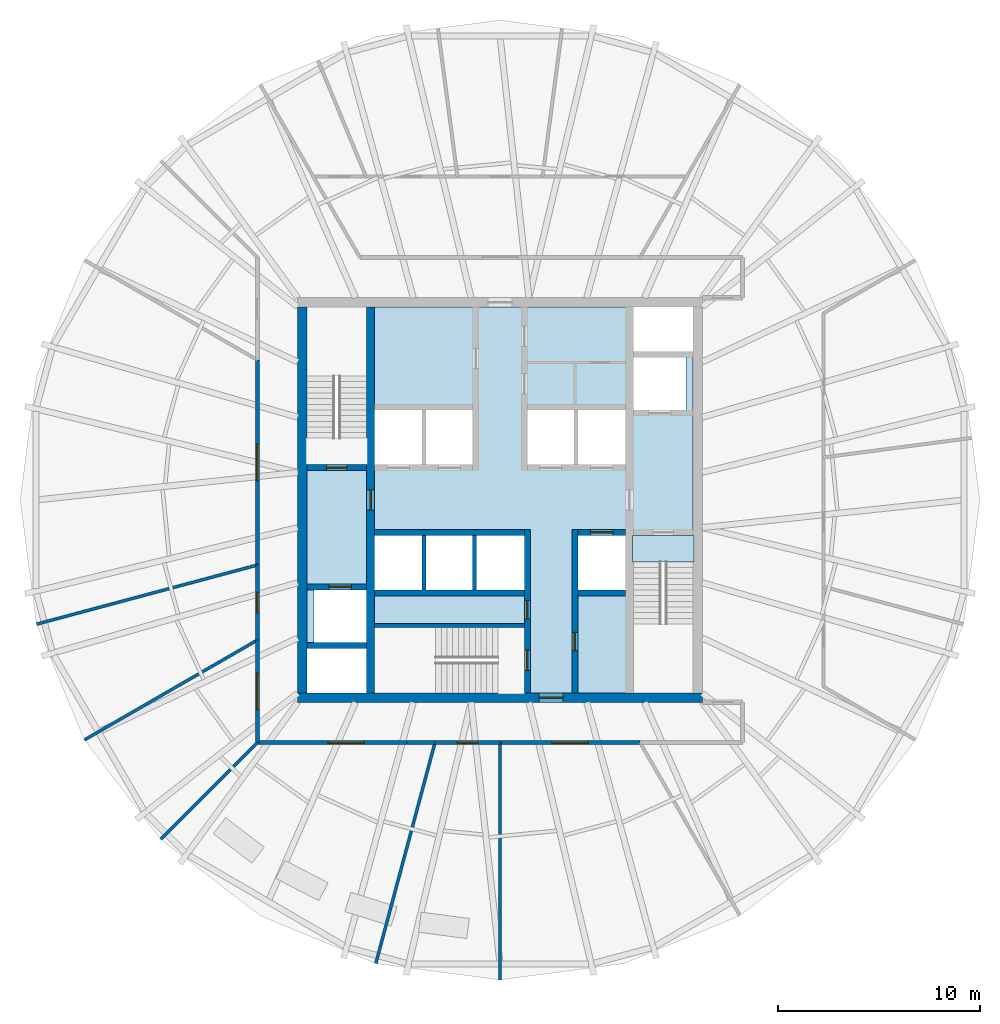
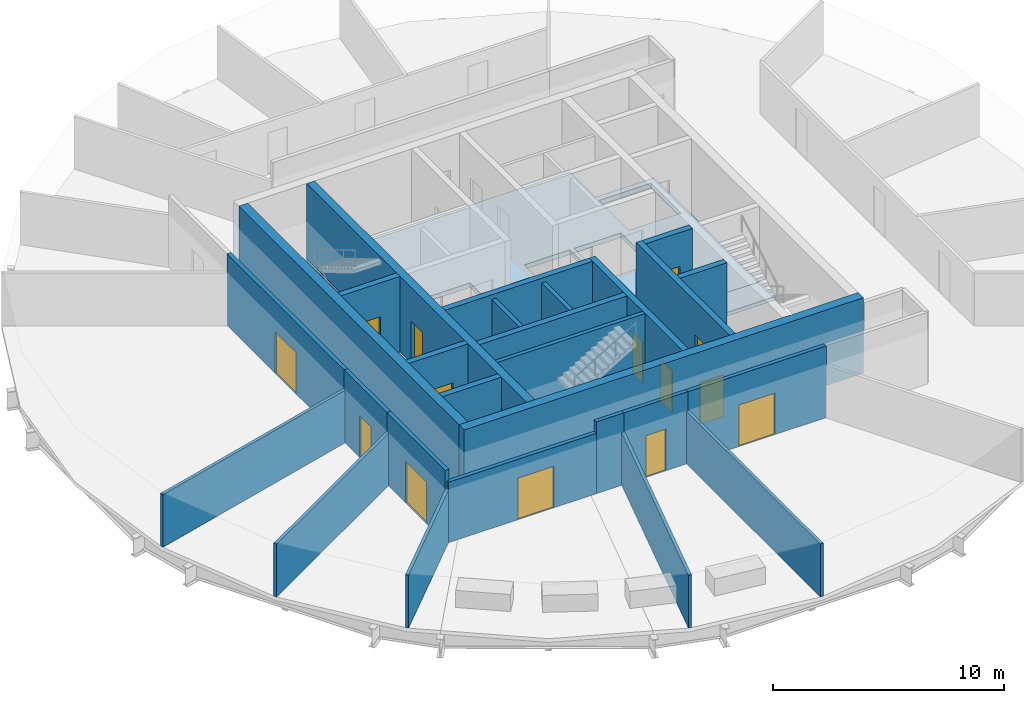
# One storey, part 3 of 7: 27 walls, 14 doors, 2 slabs, 14 openings.
"""IFC4 building model written with IfcOpenShell, lengths in metres."""

from ifc_helpers import new_model, si_unit, direction, frame, frame_2d, origin, place, context, subcontext, project, spatial, polyline, rectangle, outline, extrude, material, layer, layer_set, type_object, element, fill, save


model = new_model("IFC4")

# Units and contexts
model_context = context("Model", 3, precision=1e-05, world=origin(), true_north=direction((0.0, 1.0)))
body_context = subcontext(model_context, "Body", "Model", "MODEL_VIEW")
ifc_project = project(units=[si_unit("LENGTHUNIT", "METRE"), si_unit("AREAUNIT", "SQUARE_METRE"), si_unit("VOLUMEUNIT", "CUBIC_METRE"), si_unit("PLANEANGLEUNIT", "RADIAN"), si_unit("MASSUNIT", "GRAM", prefix="KILO")], contexts=[model_context])

# Site, building, storey
site_placement = place(None, origin())
site = spatial("IfcSite", under=ifc_project, at=site_placement, CompositionType="ELEMENT")
building_placement = place(site_placement, origin())
building = spatial("IfcBuilding", under=site, at=building_placement, Name="Golbaran Civic Tower", CompositionType="ELEMENT")
storey_placement = place(building_placement, frame((0.0, 0.0, 195.0)))
storey = spatial("IfcBuildingStorey", under=building, at=storey_placement, Name="L47", CompositionType="ELEMENT", Elevation=195.0)

# Slabs
ifc_material_1 = material(Name="Concrete C35/45", Category="concrete")
ifc_layer_1 = layer(ifc_material_1, 0.25, Name="Concrete C35/45")
ifc_layer_set_1 = layer_set([ifc_layer_1], Name="Concrete C35/45")
slab_type_1 = type_object("IfcSlabType", Name="CORE FLOOR SLAB 250", PredefinedType="FLOOR", material=ifc_layer_set_1)
slab_1_placement = place(storey_placement, frame((0.0, 0.0, -0.25)))
element("IfcSlab", 1, at=slab_1_placement, inside=storey, type_object=slab_type_1, Name="Core floor slab L47", PredefinedType="FLOOR", context=body_context, shape_type="SweptSolid", body=[
    extrude(outline(polyline([(6.60009765625, -1.75), (6.60009765625, -9.550048828125), (1.199951171875, -9.550048828125), (1.199951171875, -6.300048828125), (-6.199951171875, -6.300048828125), (-6.199951171875, -9.550048828125), (-6.60009765625, -9.550048828125), (-6.60009765625, -7.35009765625), (-9.550048828125, -7.35009765625), (-9.550048828125, 1.75), (-6.60009765625, 1.75), (-6.60009765625, 9.550048828125), (6.60009765625, 9.550048828125), (6.60009765625, 7.35009765625), (9.550048828125, 7.35009765625), (9.550048828125, -1.75), (6.60009765625, -1.75)]), holes=[polyline([(9.199951171875, 7.050048828125), (6.60009765625, 7.050048828125), (6.60009765625, 4.449951171875), (9.199951171875, 4.449951171875), (9.199951171875, 7.050048828125)]), polyline([(6.199951171875, -1.75), (3.85009765625, -1.75), (3.85009765625, -4.449951171875), (6.199951171875, -4.449951171875), (6.199951171875, -1.75)]), polyline([(6.199951171875, 4.449951171875), (3.85009765625, 4.449951171875), (3.85009765625, 1.75), (6.199951171875, 1.75), (6.199951171875, 4.449951171875)]), polyline([(3.64990234375, 4.449951171875), (1.35009765625, 4.449951171875), (1.35009765625, 1.75), (3.64990234375, 1.75), (3.64990234375, 4.449951171875)]), polyline([(1.199951171875, -1.75), (-1.14990234375, -1.75), (-1.14990234375, -4.449951171875), (1.199951171875, -4.449951171875), (1.199951171875, -1.75)]), polyline([(-1.35009765625, 4.449951171875), (-3.64990234375, 4.449951171875), (-3.64990234375, 1.75), (-1.35009765625, 1.75), (-1.35009765625, 4.449951171875)]), polyline([(-1.35009765625, -1.75), (-3.64990234375, -1.75), (-3.64990234375, -4.449951171875), (-1.35009765625, -4.449951171875), (-1.35009765625, -1.75)]), polyline([(-3.85009765625, -1.75), (-6.199951171875, -1.75), (-6.199951171875, -4.449951171875), (-3.85009765625, -4.449951171875), (-3.85009765625, -1.75)]), polyline([(-3.85009765625, 4.449951171875), (-6.199951171875, 4.449951171875), (-6.199951171875, 1.75), (-3.85009765625, 1.75), (-3.85009765625, 4.449951171875)]), polyline([(-6.60009765625, -4.449951171875), (-9.199951171875, -4.449951171875), (-9.199951171875, -7.050048828125), (-6.60009765625, -7.050048828125), (-6.60009765625, -4.449951171875)])]), origin(), (0.0, 0.0, 1.0), 0.25),
])
ifc_layer_2 = layer(ifc_material_1, 0.199951171875, Name="Concrete C35/45")
ifc_layer_set_2 = layer_set([ifc_layer_2], Name="Concrete C35/45")
slab_type_2 = type_object("IfcSlabType", Name="STAIR LANDING 200", PredefinedType="LANDING", material=ifc_layer_set_2)
slab_2_placement = place(storey_placement, frame((0.0, 0.0, -0.199951171875)))
element("IfcSlab", 2, at=slab_2_placement, inside=storey, type_object=slab_type_2, Name="Stair S2 floor landing L47", PredefinedType="LANDING", context=body_context, shape_type="SweptSolid", body=[
    extrude(outline(polyline([(9.60009765625, -1.75), (9.60009765625, -3.054931640625), (6.550048828125, -3.054931640625), (6.550048828125, -1.75), (9.60009765625, -1.75)])), origin(), (0.0, 0.0, 1.0), 0.199951171875),
])

# Wall, opening, door
ifc_material_2 = material(Name="Concrete C50/60", Category="concrete")
ifc_layer_3 = layer(ifc_material_2, 0.39990234375, Name="Concrete C50/60")
ifc_layer_set_3 = layer_set([ifc_layer_3], Name="Concrete C50/60")
wall_type_1 = type_object("IfcWallType", Name="CORE WALL CONCRETE 400", PredefinedType="SOLIDWALL", material=ifc_layer_set_3)
wall_1_placement = place(storey_placement, frame((-6.39990234375, -9.550048828125, 0.0), z_axis=(0.0, 0.0, 1.0), x_axis=(0.0, 1.0, 0.0)))
wall_1 = element("IfcWall", 3, at=wall_1_placement, inside=storey, type_object=wall_type_1, Name="Core wall IW L47", PredefinedType="SOLIDWALL", context=body_context, shape_type="SweptSolid", body=[
    extrude(rectangle(XDim=19.10009765625, YDim=0.39990234375, at=frame_2d((9.550048828125, 0.0))), origin(), (0.0, 0.0, 1.0), 4.0),
])
opening_1_placement = place(wall_1_placement, frame((9.050048828125, 0.0, 0.0)))
opening_1 = element("IfcOpeningElement", 4, at=opening_1_placement, cuts=wall_1, Name="Opening L47.FL1", PredefinedType="OPENING", context=body_context, shape_type="SweptSolid", body=[
    extrude(rectangle(XDim=1.0, YDim=2.199951171875, at=frame_2d((0.5, 1.10009765625))), frame((0.0, 0.2099609375, 0.0), z_axis=(0.0, -1.0, 0.0), x_axis=(1.0, 0.0, 0.0)), (0.0, 0.0, 1.0), 0.419921875),
])
ifc_material_3 = material(Name="Timber door set in steel frame", Category="steel")
door_type_1 = type_object("IfcDoorType", Name="STAIR DOOR 1000x2200", OperationType="SINGLE_SWING_LEFT", PredefinedType="DOOR", material=ifc_material_3)
door_1_placement = place(opening_1_placement, origin())
door_1 = element("IfcDoor", 5, at=door_1_placement, inside=storey, type_object=door_type_1, Name="Fire-fighting lobby FL1 door", OperationType="SINGLE_SWING_LEFT", OverallHeight=2.199951171875, OverallWidth=1.0, PredefinedType="DOOR", context=body_context, shape_type="SweptSolid", body=[
    extrude(rectangle(XDim=1.0, YDim=2.199951171875, at=frame_2d((0.5, 1.10009765625))), frame((0.0, 0.02490234375, 0.0), z_axis=(0.0, -1.0, 0.0), x_axis=(1.0, 0.0, 0.0)), (0.0, 0.0, 1.0), 0.050048828125),
])
fill(opening_1, door_1)

ifc_layer_4 = layer(ifc_material_2, 0.449951171875, Name="Concrete C50/60")
ifc_layer_set_4 = layer_set([ifc_layer_4], Name="Concrete C50/60")
wall_type_2 = type_object("IfcWallType", Name="CORE WALL CONCRETE 450", PredefinedType="SOLIDWALL", material=ifc_layer_set_4)
wall_2_placement = place(storey_placement, frame((10.0, -9.77490234375, 0.0), z_axis=(0.0, 0.0, 1.0), x_axis=(-1.0, 0.0, 0.0)))
wall_2 = element("IfcWall", 6, at=wall_2_placement, inside=storey, type_object=wall_type_2, Name="Core wall CS L47", PredefinedType="SOLIDWALL", context=body_context, shape_type="SweptSolid", body=[
    extrude(rectangle(XDim=20.0, YDim=0.449951171875, at=frame_2d((10.0, 0.0))), origin(), (0.0, 0.0, 1.0), 4.0),
])
opening_2_placement = place(wall_2_placement, frame((6.875, 0.0, 0.0)))
opening_2 = element("IfcOpeningElement", 7, at=opening_2_placement, cuts=wall_2, Name="Opening L47.CS", PredefinedType="OPENING", context=body_context, shape_type="SweptSolid", body=[
    extrude(rectangle(XDim=1.199951171875, YDim=2.199951171875, at=frame_2d((0.60009765625, 1.10009765625))), frame((0.0, 0.23486328125, 0.0), z_axis=(0.0, -1.0, 0.0), x_axis=(1.0, 0.0, 0.0)), (0.0, 0.0, 1.0), 0.469970703125),
])
door_type_2 = type_object("IfcDoorType", Name="CORE DOOR 1200x2200", OperationType="DOUBLE_DOOR_SINGLE_SWING", PredefinedType="DOOR", material=ifc_material_3)
door_2_placement = place(opening_2_placement, origin())
door_2 = element("IfcDoor", 8, at=door_2_placement, inside=storey, type_object=door_type_2, Name="Core door south", OperationType="DOUBLE_DOOR_SINGLE_SWING", OverallHeight=2.199951171875, OverallWidth=1.199951171875, PredefinedType="DOOR", context=body_context, shape_type="SweptSolid", body=[
    extrude(rectangle(XDim=1.199951171875, YDim=2.199951171875, at=frame_2d((0.60009765625, 1.10009765625))), frame((0.0, 0.02490234375, 0.0), z_axis=(0.0, -1.0, 0.0), x_axis=(1.0, 0.0, 0.0)), (0.0, 0.0, 1.0), 0.050048828125),
])
fill(opening_2, door_2)

# Wall
wall_3_placement = place(storey_placement, frame((-9.77490234375, 9.550048828125, 0.0), z_axis=(0.0, 0.0, 1.0), x_axis=(0.0, -1.0, 0.0)))
element("IfcWall", 9, at=wall_3_placement, inside=storey, type_object=wall_type_2, Name="Core wall CW L47", PredefinedType="SOLIDWALL", context=body_context, shape_type="SweptSolid", body=[
    extrude(rectangle(XDim=19.10009765625, YDim=0.449951171875, at=frame_2d((9.550048828125, 0.0))), origin(), (0.0, 0.0, 1.0), 4.0),
])

# Wall, opening, door
ifc_material_4 = material(Name="Gypsum board on steel studs, fire-rated", Category="steel")
ifc_layer_5 = layer(ifc_material_4, 0.199951171875, Name="Gypsum board on steel studs, fire-rated")
ifc_layer_set_5 = layer_set([ifc_layer_5], Name="Gypsum board on steel studs, fire-rated")
wall_type_3 = type_object("IfcWallType", Name="CORRIDOR WALL 200", PredefinedType="PARTITIONING", material=ifc_layer_set_5)
wall_4_placement = place(storey_placement, frame((-12.0, 6.92822265625, 0.0), z_axis=(0.0, 0.0, 1.0), x_axis=(0.0, -1.0, 0.0)))
wall_4 = element("IfcWall", 10, at=wall_4_placement, inside=storey, type_object=wall_type_3, Name="Corridor wall L47", PredefinedType="PARTITIONING", context=body_context, shape_type="SweptSolid", body=[
    extrude(rectangle(XDim=10.1435546875, YDim=0.199951171875, at=frame_2d((5.07177734375, 0.0))), origin(), (0.0, 0.0, 1.0), 3.800048828125),
])
opening_3_placement = place(wall_4_placement, frame((4.171875, 0.0, 0.0)))
opening_3 = element("IfcOpeningElement", 11, at=opening_3_placement, cuts=wall_4, Name="Opening L47.10", PredefinedType="OPENING", context=body_context, shape_type="SweptSolid", body=[
    extrude(rectangle(XDim=1.800048828125, YDim=2.199951171875, at=frame_2d((0.89990234375, 1.10009765625))), frame((0.0, 0.10986328125, 0.0), z_axis=(0.0, -1.0, 0.0), x_axis=(1.0, 0.0, 0.0)), (0.0, 0.0, 1.0), 0.219970703125),
])
door_type_3 = type_object("IfcDoorType", Name="OFFICE DOUBLE DOOR 1800x2200", OperationType="DOUBLE_DOOR_SINGLE_SWING", PredefinedType="DOOR", material=ifc_material_3)
door_3_placement = place(opening_3_placement, origin())
door_3 = element("IfcDoor", 12, at=door_3_placement, inside=storey, type_object=door_type_3, Name="Project Room door L47", OperationType="DOUBLE_DOOR_SINGLE_SWING", OverallHeight=2.199951171875, OverallWidth=1.800048828125, PredefinedType="DOOR", context=body_context, shape_type="SweptSolid", body=[
    extrude(rectangle(XDim=1.800048828125, YDim=2.199951171875, at=frame_2d((0.89990234375, 1.10009765625))), frame((0.0, 0.02490234375, 0.0), z_axis=(0.0, -1.0, 0.0), x_axis=(1.0, 0.0, 0.0)), (0.0, 0.0, 1.0), 0.050048828125),
])
fill(opening_3, door_3)

wall_5_placement = place(storey_placement, frame((-12.0, -3.21533203125, 0.0), z_axis=(0.0, 0.0, 1.0), x_axis=(0.0, -1.0, 0.0)))
wall_5 = element("IfcWall", 13, at=wall_5_placement, inside=storey, type_object=wall_type_3, Name="Corridor wall L47", PredefinedType="PARTITIONING", context=body_context, shape_type="SweptSolid", body=[
    extrude(rectangle(XDim=3.712890625, YDim=0.199951171875, at=frame_2d((1.8564453125, 0.0))), origin(), (0.0, 0.0, 1.0), 3.800048828125),
])
opening_4_placement = place(wall_5_placement, frame((1.3564453125, 0.0, 0.0)))
opening_4 = element("IfcOpeningElement", 14, at=opening_4_placement, cuts=wall_5, Name="Opening L47.11", PredefinedType="OPENING", context=body_context, shape_type="SweptSolid", body=[
    extrude(rectangle(XDim=1.0, YDim=2.199951171875, at=frame_2d((0.5, 1.10009765625))), frame((0.0, 0.10986328125, 0.0), z_axis=(0.0, -1.0, 0.0), x_axis=(1.0, 0.0, 0.0)), (0.0, 0.0, 1.0), 0.219970703125),
])
door_type_4 = type_object("IfcDoorType", Name="OFFICE DOOR 1000x2200", OperationType="SINGLE_SWING_LEFT", PredefinedType="DOOR", material=ifc_material_3)
door_4_placement = place(opening_4_placement, origin())
door_4 = element("IfcDoor", 15, at=door_4_placement, inside=storey, type_object=door_type_4, Name="Server Room door L47", OperationType="SINGLE_SWING_RIGHT", OverallHeight=2.199951171875, OverallWidth=1.0, PredefinedType="DOOR", context=body_context, shape_type="SweptSolid", body=[
    extrude(rectangle(XDim=1.0, YDim=2.199951171875, at=frame_2d((0.5, 1.10009765625))), frame((0.0, 0.02490234375, 0.0), z_axis=(0.0, -1.0, 0.0), x_axis=(1.0, 0.0, 0.0)), (0.0, 0.0, 1.0), 0.050048828125),
])
fill(opening_4, door_4)

wall_6_placement = place(storey_placement, frame((-12.0, -6.92822265625, 0.0), z_axis=(0.0, 0.0, 1.0), x_axis=(0.0, -1.0, 0.0)))
wall_6 = element("IfcWall", 16, at=wall_6_placement, inside=storey, type_object=wall_type_3, Name="Corridor wall L47", PredefinedType="PARTITIONING", context=body_context, shape_type="SweptSolid", body=[
    extrude(rectangle(XDim=5.07177734375, YDim=0.199951171875, at=frame_2d((2.535888671875, 0.0))), origin(), (0.0, 0.0, 1.0), 3.800048828125),
])
opening_5_placement = place(wall_6_placement, frame((1.635986328125, 0.0, 0.0)))
opening_5 = element("IfcOpeningElement", 17, at=opening_5_placement, cuts=wall_6, Name="Opening L47.12", PredefinedType="OPENING", context=body_context, shape_type="SweptSolid", body=[
    extrude(rectangle(XDim=1.800048828125, YDim=2.199951171875, at=frame_2d((0.89990234375, 1.10009765625))), frame((0.0, 0.10986328125, 0.0), z_axis=(0.0, -1.0, 0.0), x_axis=(1.0, 0.0, 0.0)), (0.0, 0.0, 1.0), 0.219970703125),
])
door_5_placement = place(opening_5_placement, origin())
door_5 = element("IfcDoor", 18, at=door_5_placement, inside=storey, type_object=door_type_3, Name="Staff Lounge door L47", OperationType="DOUBLE_DOOR_SINGLE_SWING", OverallHeight=2.199951171875, OverallWidth=1.800048828125, PredefinedType="DOOR", context=body_context, shape_type="SweptSolid", body=[
    extrude(rectangle(XDim=1.800048828125, YDim=2.199951171875, at=frame_2d((0.89990234375, 1.10009765625))), frame((0.0, 0.02490234375, 0.0), z_axis=(0.0, -1.0, 0.0), x_axis=(1.0, 0.0, 0.0)), (0.0, 0.0, 1.0), 0.050048828125),
])
fill(opening_5, door_5)

wall_7_placement = place(storey_placement, frame((-12.0, -12.0, 0.0), z_axis=(0.0, 0.0, 1.0), x_axis=(1.0, 0.0, 0.0)))
wall_7 = element("IfcWall", 19, at=wall_7_placement, inside=storey, type_object=wall_type_3, Name="Corridor wall L47", PredefinedType="PARTITIONING", context=body_context, shape_type="SweptSolid", body=[
    extrude(rectangle(XDim=7.412109375, YDim=0.199951171875, at=frame_2d((3.7060546875, 0.0))), origin(), (0.0, 0.0, 1.0), 3.199951171875),
])
opening_6_placement = place(wall_7_placement, frame((3.4921875, 0.0, 0.0)))
opening_6 = element("IfcOpeningElement", 20, at=opening_6_placement, cuts=wall_7, Name="Opening L47.13", PredefinedType="OPENING", context=body_context, shape_type="SweptSolid", body=[
    extrude(rectangle(XDim=1.800048828125, YDim=2.199951171875, at=frame_2d((0.89990234375, 1.10009765625))), frame((0.0, 0.10986328125, 0.0), z_axis=(0.0, -1.0, 0.0), x_axis=(1.0, 0.0, 0.0)), (0.0, 0.0, 1.0), 0.219970703125),
])
door_6_placement = place(opening_6_placement, origin())
door_6 = element("IfcDoor", 21, at=door_6_placement, inside=storey, type_object=door_type_3, Name="Sky Garden door L47", OperationType="DOUBLE_DOOR_SINGLE_SWING", OverallHeight=2.199951171875, OverallWidth=1.800048828125, PredefinedType="DOOR", context=body_context, shape_type="SweptSolid", body=[
    extrude(rectangle(XDim=1.800048828125, YDim=2.199951171875, at=frame_2d((0.89990234375, 1.10009765625))), frame((0.0, 0.02490234375, 0.0), z_axis=(0.0, -1.0, 0.0), x_axis=(1.0, 0.0, 0.0)), (0.0, 0.0, 1.0), 0.050048828125),
])
fill(opening_6, door_6)

# Wall
wall_8_placement = place(storey_placement, frame((-4.587890625, -12.0, 0.0), z_axis=(0.0, 0.0, 1.0), x_axis=(1.0, 0.0, 0.0)))
element("IfcWall", 22, at=wall_8_placement, inside=storey, type_object=wall_type_3, Name="Corridor wall L47 (part 2)", PredefinedType="PARTITIONING", context=body_context, shape_type="SweptSolid", body=[
    extrude(rectangle(XDim=1.37255859375, YDim=0.199951171875, at=frame_2d((0.686279296875, 0.0))), origin(), (0.0, 0.0, 1.0), 3.800048828125),
])

# Wall, opening, door
wall_9_placement = place(storey_placement, frame((-3.21533203125, -12.0, 0.0), z_axis=(0.0, 0.0, 1.0), x_axis=(1.0, 0.0, 0.0)))
wall_9 = element("IfcWall", 23, at=wall_9_placement, inside=storey, type_object=wall_type_3, Name="Corridor wall L47", PredefinedType="PARTITIONING", context=body_context, shape_type="SweptSolid", body=[
    extrude(rectangle(XDim=3.21533203125, YDim=0.199951171875, at=frame_2d((1.607666015625, 0.0))), origin(), (0.0, 0.0, 1.0), 3.800048828125),
])
opening_7_placement = place(wall_9_placement, frame((1.107666015625, 0.0, 0.0)))
opening_7 = element("IfcOpeningElement", 24, at=opening_7_placement, cuts=wall_9, Name="Opening L47.14", PredefinedType="OPENING", context=body_context, shape_type="SweptSolid", body=[
    extrude(rectangle(XDim=1.0, YDim=2.199951171875, at=frame_2d((0.5, 1.10009765625))), frame((0.0, 0.10986328125, 0.0), z_axis=(0.0, -1.0, 0.0), x_axis=(1.0, 0.0, 0.0)), (0.0, 0.0, 1.0), 0.219970703125),
])
door_7_placement = place(opening_7_placement, origin())
door_7 = element("IfcDoor", 25, at=door_7_placement, inside=storey, type_object=door_type_4, Name="Project Room door L47", OperationType="SINGLE_SWING_LEFT", OverallHeight=2.199951171875, OverallWidth=1.0, PredefinedType="DOOR", context=body_context, shape_type="SweptSolid", body=[
    extrude(rectangle(XDim=1.0, YDim=2.199951171875, at=frame_2d((0.5, 1.10009765625))), frame((0.0, 0.02490234375, 0.0), z_axis=(0.0, -1.0, 0.0), x_axis=(1.0, 0.0, 0.0)), (0.0, 0.0, 1.0), 0.050048828125),
])
fill(opening_7, door_7)

wall_10_placement = place(storey_placement, frame((0.0, -12.0, 0.0), z_axis=(0.0, 0.0, 1.0), x_axis=(1.0, 0.0, 0.0)))
wall_10 = element("IfcWall", 26, at=wall_10_placement, inside=storey, type_object=wall_type_3, Name="Corridor wall L47", PredefinedType="PARTITIONING", context=body_context, shape_type="SweptSolid", body=[
    extrude(rectangle(XDim=6.92822265625, YDim=0.199951171875, at=frame_2d((3.464111328125, 0.0))), origin(), (0.0, 0.0, 1.0), 3.800048828125),
])
opening_8_placement = place(wall_10_placement, frame((2.564208984375, 0.0, 0.0)))
opening_8 = element("IfcOpeningElement", 27, at=opening_8_placement, cuts=wall_10, Name="Opening L47.15", PredefinedType="OPENING", context=body_context, shape_type="SweptSolid", body=[
    extrude(rectangle(XDim=1.800048828125, YDim=2.199951171875, at=frame_2d((0.89990234375, 1.10009765625))), frame((0.0, 0.10986328125, 0.0), z_axis=(0.0, -1.0, 0.0), x_axis=(1.0, 0.0, 0.0)), (0.0, 0.0, 1.0), 0.219970703125),
])
door_8_placement = place(opening_8_placement, origin())
door_8 = element("IfcDoor", 28, at=door_8_placement, inside=storey, type_object=door_type_3, Name="Data and Statistics Office door L47", OperationType="DOUBLE_DOOR_SINGLE_SWING", OverallHeight=2.199951171875, OverallWidth=1.800048828125, PredefinedType="DOOR", context=body_context, shape_type="SweptSolid", body=[
    extrude(rectangle(XDim=1.800048828125, YDim=2.199951171875, at=frame_2d((0.89990234375, 1.10009765625))), frame((0.0, 0.02490234375, 0.0), z_axis=(0.0, -1.0, 0.0), x_axis=(1.0, 0.0, 0.0)), (0.0, 0.0, 1.0), 0.050048828125),
])
fill(opening_8, door_8)

# Walls
ifc_material_5 = material(Name="Concrete block", Category="concrete")
ifc_layer_6 = layer(ifc_material_5, 0.199951171875, Name="Concrete block")
ifc_layer_set_6 = layer_set([ifc_layer_6], Name="Concrete block")
wall_type_4 = type_object("IfcWallType", Name="LIFT SEPARATOR WALL 200", PredefinedType="SOLIDWALL", material=ifc_layer_set_6)
for number, where, z_axis, x_axis, name in (
    (29, (-3.75, -1.75, 0.0), (0.0, 0.0, 1.0), (0.0, -1.0, 0.0), "Core partition SSW L47"),
    (30, (-1.25, -1.75, 0.0), (0.0, 0.0, 1.0), (0.0, -1.0, 0.0), "Core partition SSM L47"),
):
    element("IfcWall", number, at=place(storey_placement, frame(where, z_axis=z_axis, x_axis=x_axis)), inside=storey, type_object=wall_type_4, Name=name, PredefinedType="SOLIDWALL", context=body_context, shape_type="SweptSolid", body=[
        extrude(rectangle(XDim=2.699951171875, YDim=0.199951171875, at=frame_2d((1.35009765625, 0.0))), origin(), (0.0, 0.0, 1.0), 3.75),
    ])
ifc_material_6 = material(Name="Gypsum board on steel studs", Category="steel")
ifc_layer_7 = layer(ifc_material_6, 0.14990234375, Name="Gypsum board on steel studs")
ifc_layer_set_7 = layer_set([ifc_layer_7], Name="Gypsum board on steel studs")
wall_type_5 = type_object("IfcWallType", Name="OFFICE PARTITION 150", PredefinedType="PARTITIONING", material=ifc_layer_set_7)
wall_11_placement = place(storey_placement, frame((-12.0, -3.21533203125, 0.0), z_axis=(0.0, 0.0, 1.0), x_axis=(-0.965926155577, -0.258817816178, 0.0)))
element("IfcWall", 31, at=wall_11_placement, inside=storey, type_object=wall_type_5, Name="Partition 195 L47", PredefinedType="PARTITIONING", context=body_context, shape_type="SweptSolid", body=[
    extrude(rectangle(XDim=11.2978515625, YDim=0.14990234375, at=frame_2d((5.64892578125, 0.0))), origin(), (0.0, 0.0, 1.0), 2.7900390625),
])
wall_12_placement = place(storey_placement, frame((-12.0, -6.92822265625, 0.0), z_axis=(0.0, 0.0, 1.0), x_axis=(-0.866027739639, -0.49999595416, 0.0)))
element("IfcWall", 32, at=wall_12_placement, inside=storey, type_object=wall_type_5, Name="Partition 210 L47", PredefinedType="PARTITIONING", context=body_context, shape_type="SweptSolid", body=[
    extrude(rectangle(XDim=9.86474609375, YDim=0.14990234375, at=frame_2d((4.932373046875, 0.0))), origin(), (0.0, 0.0, 1.0), 2.7900390625),
])
wall_13_placement = place(storey_placement, frame((-12.0, -12.0, 0.0), z_axis=(0.0, 0.0, 1.0), x_axis=(-0.707106781187, -0.707106781187, 0.0)))
element("IfcWall", 33, at=wall_13_placement, inside=storey, type_object=wall_type_5, Name="Partition 225 L47", PredefinedType="PARTITIONING", context=body_context, shape_type="SweptSolid", body=[
    extrude(rectangle(XDim=6.750732421875, YDim=0.14990234375, at=frame_2d((3.37548828125, 0.0))), origin(), (0.0, 0.0, 1.0), 2.7900390625),
])
wall_14_placement = place(storey_placement, frame((-3.21533203125, -12.0, 0.0), z_axis=(0.0, 0.0, 1.0), x_axis=(-0.258817816178, -0.965926155577, 0.0)))
element("IfcWall", 34, at=wall_14_placement, inside=storey, type_object=wall_type_5, Name="Partition 255 L47", PredefinedType="PARTITIONING", context=body_context, shape_type="SweptSolid", body=[
    extrude(rectangle(XDim=11.2978515625, YDim=0.14990234375, at=frame_2d((5.64892578125, 0.0))), origin(), (0.0, 0.0, 1.0), 2.7900390625),
])
wall_15_placement = place(storey_placement, frame((0.0, -12.0, 0.0), z_axis=(0.0, 0.0, 1.0), x_axis=(0.0, -1.0, 0.0)))
element("IfcWall", 35, at=wall_15_placement, inside=storey, type_object=wall_type_5, Name="Partition 270 L47", PredefinedType="PARTITIONING", context=body_context, shape_type="SweptSolid", body=[
    extrude(rectangle(XDim=11.72119140625, YDim=0.14990234375, at=frame_2d((5.860595703125, 0.0))), origin(), (0.0, 0.0, 1.0), 2.7900390625),
])
ifc_layer_8 = layer(ifc_material_2, 0.199951171875, Name="Concrete C50/60")
ifc_layer_set_8 = layer_set([ifc_layer_8], Name="Concrete C50/60")
wall_type_6 = type_object("IfcWallType", Name="SHAFT WALL CONCRETE 200", PredefinedType="SOLIDWALL", material=ifc_layer_set_8)
wall_16_placement = place(storey_placement, frame((-6.199951171875, -6.199951171875, 0.0), z_axis=(0.0, 0.0, 1.0), x_axis=(1.0, 0.0, 0.0)))
element("IfcWall", 36, at=wall_16_placement, inside=storey, type_object=wall_type_6, Name="Core wall S3N L47", PredefinedType="SOLIDWALL", context=body_context, shape_type="SweptSolid", body=[
    extrude(rectangle(XDim=7.39990234375, YDim=0.199951171875, at=frame_2d((3.699951171875, 0.0))), origin(), (0.0, 0.0, 1.0), 4.0),
])
ifc_layer_9 = layer(ifc_material_2, 0.300048828125, Name="Concrete C50/60")
ifc_layer_set_9 = layer_set([ifc_layer_9], Name="Concrete C50/60")
wall_type_7 = type_object("IfcWallType", Name="SHAFT WALL CONCRETE 300", PredefinedType="SOLIDWALL", material=ifc_layer_set_9)
wall_17_placement = place(storey_placement, frame((-6.199951171875, -1.60009765625, 0.0), z_axis=(0.0, 0.0, 1.0), x_axis=(1.0, 0.0, 0.0)))
element("IfcWall", 37, at=wall_17_placement, inside=storey, type_object=wall_type_7, Name="Core wall FSW L47", PredefinedType="SOLIDWALL", context=body_context, shape_type="SweptSolid", body=[
    extrude(rectangle(XDim=7.39990234375, YDim=0.300048828125, at=frame_2d((3.699951171875, 0.0))), origin(), (0.0, 0.0, 1.0), 4.0),
])

# Wall, opening, door
wall_18_placement = place(storey_placement, frame((3.85009765625, -1.60009765625, 0.0), z_axis=(0.0, 0.0, 1.0), x_axis=(1.0, 0.0, 0.0)))
wall_18 = element("IfcWall", 38, at=wall_18_placement, inside=storey, type_object=wall_type_7, Name="Core wall FSE L47", PredefinedType="SOLIDWALL", context=body_context, shape_type="SweptSolid", body=[
    extrude(rectangle(XDim=2.349853515625, YDim=0.300048828125, at=frame_2d((1.1748046875, 0.0))), origin(), (0.0, 0.0, 1.0), 4.0),
])
opening_9_placement = place(wall_18_placement, frame((0.625, 0.0, 0.0)))
opening_9 = element("IfcOpeningElement", 39, at=opening_9_placement, cuts=wall_18, Name="Opening L47.LD-V1", PredefinedType="OPENING", context=body_context, shape_type="SweptSolid", body=[
    extrude(rectangle(XDim=1.10009765625, YDim=2.199951171875, at=frame_2d((0.550048828125, 1.10009765625))), frame((0.0, 0.159912109375, 0.0), z_axis=(0.0, -1.0, 0.0), x_axis=(1.0, 0.0, 0.0)), (0.0, 0.0, 1.0), 0.320068359375),
])
ifc_material_7 = material(Name="Stainless steel", Category="steel")
door_type_5 = type_object("IfcDoorType", Name="LIFT LANDING DOOR 1100x2200", OperationType="SLIDING_TO_LEFT", PredefinedType="DOOR", material=ifc_material_7)
door_9_placement = place(opening_9_placement, origin())
door_9 = element("IfcDoor", 40, at=door_9_placement, inside=storey, type_object=door_type_5, Name="Lift landing door V1", OperationType="SLIDING_TO_LEFT", OverallHeight=2.199951171875, OverallWidth=1.10009765625, PredefinedType="DOOR", context=body_context, shape_type="SweptSolid", body=[
    extrude(rectangle(XDim=1.10009765625, YDim=2.199951171875, at=frame_2d((0.550048828125, 1.10009765625))), frame((0.0, 0.02490234375, 0.0), z_axis=(0.0, -1.0, 0.0), x_axis=(1.0, 0.0, 0.0)), (0.0, 0.0, 1.0), 0.050048828125),
])
fill(opening_9, door_9)

# Walls
wall_19_placement = place(storey_placement, frame((-6.199951171875, -4.60009765625, 0.0), z_axis=(0.0, 0.0, 1.0), x_axis=(1.0, 0.0, 0.0)))
element("IfcWall", 41, at=wall_19_placement, inside=storey, type_object=wall_type_7, Name="Core wall BSW L47", PredefinedType="SOLIDWALL", context=body_context, shape_type="SweptSolid", body=[
    extrude(rectangle(XDim=7.39990234375, YDim=0.300048828125, at=frame_2d((3.699951171875, 0.0))), origin(), (0.0, 0.0, 1.0), 4.0),
])
wall_20_placement = place(storey_placement, frame((3.85009765625, -4.60009765625, 0.0), z_axis=(0.0, 0.0, 1.0), x_axis=(1.0, 0.0, 0.0)))
element("IfcWall", 42, at=wall_20_placement, inside=storey, type_object=wall_type_7, Name="Core wall BSE L47", PredefinedType="SOLIDWALL", context=body_context, shape_type="SweptSolid", body=[
    extrude(rectangle(XDim=2.349853515625, YDim=0.300048828125, at=frame_2d((1.1748046875, 0.0))), origin(), (0.0, 0.0, 1.0), 4.0),
])

# Wall, openings, doors
wall_21_placement = place(storey_placement, frame((1.35009765625, -1.449951171875, 0.0), z_axis=(0.0, 0.0, 1.0), x_axis=(0.0, -1.0, 0.0)))
wall_21 = element("IfcWall", 43, at=wall_21_placement, inside=storey, type_object=wall_type_7, Name="Core wall PSW L47", PredefinedType="SOLIDWALL", context=body_context, shape_type="SweptSolid", body=[
    extrude(rectangle(XDim=8.10009765625, YDim=0.300048828125, at=frame_2d((4.050048828125, 0.0))), origin(), (0.0, 0.0, 1.0), 4.0),
])
opening_10_placement = place(wall_21_placement, frame((5.97509765625, 0.0, 0.0)))
opening_10 = element("IfcOpeningElement", 44, at=opening_10_placement, cuts=wall_21, Name="Opening L47.S3", PredefinedType="OPENING", context=body_context, shape_type="SweptSolid", body=[
    extrude(rectangle(XDim=1.0, YDim=2.199951171875, at=frame_2d((0.5, 1.10009765625))), frame((0.0, 0.159912109375, 0.0), z_axis=(0.0, -1.0, 0.0), x_axis=(1.0, 0.0, 0.0)), (0.0, 0.0, 1.0), 0.320068359375),
])
opening_11_placement = place(wall_21_placement, frame((3.52490234375, 0.0, 0.0)))
opening_11 = element("IfcOpeningElement", 45, at=opening_11_placement, cuts=wall_21, Name="Opening L47.RE", PredefinedType="OPENING", context=body_context, shape_type="SweptSolid", body=[
    extrude(rectangle(XDim=0.89990234375, YDim=2.199951171875, at=frame_2d((0.449951171875, 1.10009765625))), frame((0.0, 0.159912109375, 0.0), z_axis=(0.0, -1.0, 0.0), x_axis=(1.0, 0.0, 0.0)), (0.0, 0.0, 1.0), 0.320068359375),
])
door_type_6 = type_object("IfcDoorType", Name="RISER DOOR 900x2200", OperationType="SINGLE_SWING_LEFT", PredefinedType="DOOR", material=ifc_material_3)
door_10_placement = place(opening_11_placement, origin())
door_10 = element("IfcDoor", 46, at=door_10_placement, inside=storey, type_object=door_type_6, Name="Electrical riser door", OperationType="SINGLE_SWING_LEFT", OverallHeight=2.199951171875, OverallWidth=0.89990234375, PredefinedType="DOOR", context=body_context, shape_type="SweptSolid", body=[
    extrude(rectangle(XDim=0.89990234375, YDim=2.199951171875, at=frame_2d((0.449951171875, 1.10009765625))), frame((0.0, 0.02490234375, 0.0), z_axis=(0.0, -1.0, 0.0), x_axis=(1.0, 0.0, 0.0)), (0.0, 0.0, 1.0), 0.050048828125),
])
fill(opening_11, door_10)
door_11_placement = place(opening_10_placement, origin())
door_11 = element("IfcDoor", 47, at=door_11_placement, inside=storey, type_object=door_type_1, Name="Stair S3 door", OperationType="SINGLE_SWING_RIGHT", OverallHeight=2.199951171875, OverallWidth=1.0, PredefinedType="DOOR", context=body_context, shape_type="SweptSolid", body=[
    extrude(rectangle(XDim=1.0, YDim=2.199951171875, at=frame_2d((0.5, 1.10009765625))), frame((0.0, 0.02490234375, 0.0), z_axis=(0.0, -1.0, 0.0), x_axis=(1.0, 0.0, 0.0)), (0.0, 0.0, 1.0), 0.050048828125),
])
fill(opening_10, door_11)

# Wall, opening, door
wall_22_placement = place(storey_placement, frame((3.699951171875, -1.449951171875, 0.0), z_axis=(0.0, 0.0, 1.0), x_axis=(0.0, -1.0, 0.0)))
wall_22 = element("IfcWall", 48, at=wall_22_placement, inside=storey, type_object=wall_type_7, Name="Core wall PSE L47", PredefinedType="SOLIDWALL", context=body_context, shape_type="SweptSolid", body=[
    extrude(rectangle(XDim=8.10009765625, YDim=0.300048828125, at=frame_2d((4.050048828125, 0.0))), origin(), (0.0, 0.0, 1.0), 4.0),
])
opening_12_placement = place(wall_22_placement, frame((5.10009765625, 0.0, 0.0)))
opening_12 = element("IfcOpeningElement", 49, at=opening_12_placement, cuts=wall_22, Name="Opening L47.RM", PredefinedType="OPENING", context=body_context, shape_type="SweptSolid", body=[
    extrude(rectangle(XDim=0.89990234375, YDim=2.199951171875, at=frame_2d((0.449951171875, 1.10009765625))), frame((0.0, 0.159912109375, 0.0), z_axis=(0.0, -1.0, 0.0), x_axis=(1.0, 0.0, 0.0)), (0.0, 0.0, 1.0), 0.320068359375),
])
door_12_placement = place(opening_12_placement, origin())
door_12 = element("IfcDoor", 50, at=door_12_placement, inside=storey, type_object=door_type_6, Name="Mechanical riser door", OperationType="SINGLE_SWING_RIGHT", OverallHeight=2.199951171875, OverallWidth=0.89990234375, PredefinedType="DOOR", context=body_context, shape_type="SweptSolid", body=[
    extrude(rectangle(XDim=0.89990234375, YDim=2.199951171875, at=frame_2d((0.449951171875, 1.10009765625))), frame((0.0, 0.02490234375, 0.0), z_axis=(0.0, -1.0, 0.0), x_axis=(1.0, 0.0, 0.0)), (0.0, 0.0, 1.0), 0.050048828125),
])
fill(opening_12, door_12)

wall_23_placement = place(storey_placement, frame((-9.550048828125, 1.60009765625, 0.0), z_axis=(0.0, 0.0, 1.0), x_axis=(1.0, 0.0, 0.0)))
wall_23 = element("IfcWall", 51, at=wall_23_placement, inside=storey, type_object=wall_type_7, Name="Core wall XW1 L47", PredefinedType="SOLIDWALL", context=body_context, shape_type="SweptSolid", body=[
    extrude(rectangle(XDim=2.949951171875, YDim=0.300048828125, at=frame_2d((1.47509765625, 0.0))), origin(), (0.0, 0.0, 1.0), 4.0),
])
opening_13_placement = place(wall_23_placement, frame((0.97509765625, 0.0, 0.0)))
opening_13 = element("IfcOpeningElement", 52, at=opening_13_placement, cuts=wall_23, Name="Opening L47.S1", PredefinedType="OPENING", context=body_context, shape_type="SweptSolid", body=[
    extrude(rectangle(XDim=1.0, YDim=2.199951171875, at=frame_2d((0.5, 1.10009765625))), frame((0.0, 0.159912109375, 0.0), z_axis=(0.0, -1.0, 0.0), x_axis=(1.0, 0.0, 0.0)), (0.0, 0.0, 1.0), 0.320068359375),
])
door_13_placement = place(opening_13_placement, origin())
door_13 = element("IfcDoor", 53, at=door_13_placement, inside=storey, type_object=door_type_1, Name="Stair S1 door", OperationType="SINGLE_SWING_LEFT", OverallHeight=2.199951171875, OverallWidth=1.0, PredefinedType="DOOR", context=body_context, shape_type="SweptSolid", body=[
    extrude(rectangle(XDim=1.0, YDim=2.199951171875, at=frame_2d((0.5, 1.10009765625))), frame((0.0, 0.02490234375, 0.0), z_axis=(0.0, -1.0, 0.0), x_axis=(1.0, 0.0, 0.0)), (0.0, 0.0, 1.0), 0.050048828125),
])
fill(opening_13, door_13)

wall_24_placement = place(storey_placement, frame((-9.550048828125, -4.300048828125, 0.0), z_axis=(0.0, 0.0, 1.0), x_axis=(1.0, 0.0, 0.0)))
wall_24 = element("IfcWall", 54, at=wall_24_placement, inside=storey, type_object=wall_type_7, Name="Core wall XW2 L47", PredefinedType="SOLIDWALL", context=body_context, shape_type="SweptSolid", body=[
    extrude(rectangle(XDim=2.949951171875, YDim=0.300048828125, at=frame_2d((1.47509765625, 0.0))), origin(), (0.0, 0.0, 1.0), 4.0),
])
opening_14_placement = place(wall_24_placement, frame((1.10009765625, 0.0, 0.0)))
opening_14 = element("IfcOpeningElement", 55, at=opening_14_placement, cuts=wall_24, Name="Opening L47.LD-F1", PredefinedType="OPENING", context=body_context, shape_type="SweptSolid", body=[
    extrude(rectangle(XDim=1.10009765625, YDim=2.199951171875, at=frame_2d((0.550048828125, 1.10009765625))), frame((0.0, 0.159912109375, 0.0), z_axis=(0.0, -1.0, 0.0), x_axis=(1.0, 0.0, 0.0)), (0.0, 0.0, 1.0), 0.320068359375),
])
door_14_placement = place(opening_14_placement, origin())
door_14 = element("IfcDoor", 56, at=door_14_placement, inside=storey, type_object=door_type_5, Name="Lift landing door F1", OperationType="SLIDING_TO_LEFT", OverallHeight=2.199951171875, OverallWidth=1.10009765625, PredefinedType="DOOR", context=body_context, shape_type="SweptSolid", body=[
    extrude(rectangle(XDim=1.10009765625, YDim=2.199951171875, at=frame_2d((0.550048828125, 1.10009765625))), frame((0.0, 0.02490234375, 0.0), z_axis=(0.0, -1.0, 0.0), x_axis=(1.0, 0.0, 0.0)), (0.0, 0.0, 1.0), 0.050048828125),
])
fill(opening_14, door_14)

# Wall
wall_25_placement = place(storey_placement, frame((-9.550048828125, -7.199951171875, 0.0), z_axis=(0.0, 0.0, 1.0), x_axis=(1.0, 0.0, 0.0)))
element("IfcWall", 57, at=wall_25_placement, inside=storey, type_object=wall_type_7, Name="Core wall XW3 L47", PredefinedType="SOLIDWALL", context=body_context, shape_type="SweptSolid", body=[
    extrude(rectangle(XDim=2.949951171875, YDim=0.300048828125, at=frame_2d((1.47509765625, 0.0))), origin(), (0.0, 0.0, 1.0), 4.0),
])

save(model, "model.ifc")
